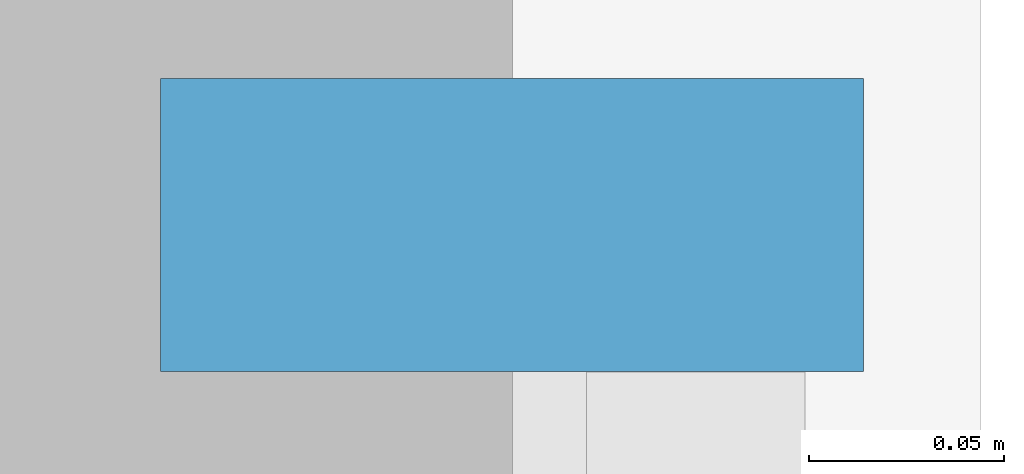
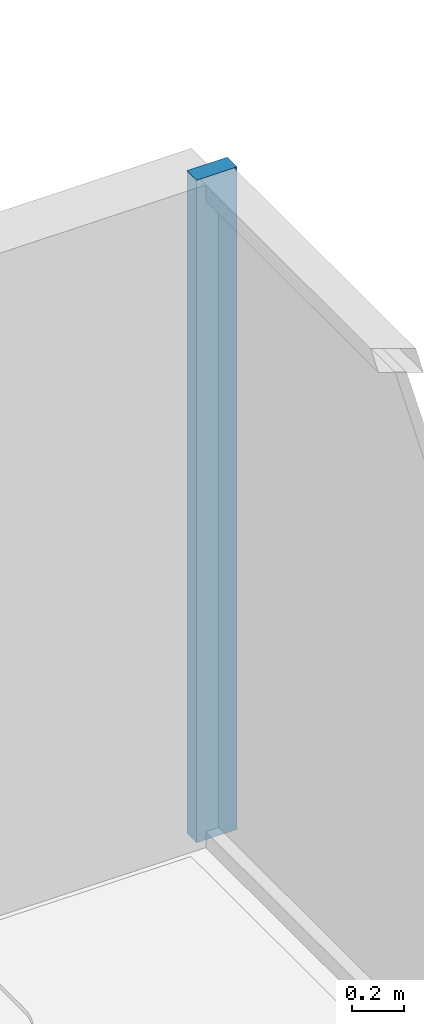
# One storey, part 6 of 13: 1 member, 1 element without a shape of its own.
"""IFC4 building model written with IfcOpenShell, lengths in metres."""

from ifc_helpers import new_model, si_unit, direction, frame, origin, origin_2d, place, context, subcontext, project, spatial, rectangle, extrude, source, transform, mapped, material, layer, layer_set, material_profile, profile_set, type_object, element, aggregate, save


model = new_model("IFC4")

# Units and contexts
model_context = context("Model", 3, precision=1e-05, world=origin(), true_north=direction((0.0, 1.0)))
body_context = subcontext(model_context, "Body", "Model", "MODEL_VIEW")
ifc_project = project(units=[si_unit("LENGTHUNIT", "METRE"), si_unit("AREAUNIT", "SQUARE_METRE"), si_unit("VOLUMEUNIT", "CUBIC_METRE"), si_unit("PLANEANGLEUNIT", "RADIAN"), si_unit("MASSUNIT", "GRAM", prefix="KILO")], contexts=[model_context])

# Site, building, storey
site_placement = place(None, origin())
site = spatial("IfcSite", under=ifc_project, at=site_placement, CompositionType="ELEMENT")
building_placement = place(site_placement, origin())
building = spatial("IfcBuilding", under=site, at=building_placement, Name="Qianlan Lanfeng Residences", CompositionType="ELEMENT")
storey_placement = place(building_placement, frame((0.0, 0.0, 178.800048828125)))
storey = spatial("IfcBuildingStorey", under=building, at=storey_placement, Name="L49", CompositionType="ELEMENT", Elevation=178.800048828125)

# Curtain wall, member
ifc_material = material(Name="Anodised Bronze Aluminium 6063-T6", Category="aluminium")
ifc_layer = layer(ifc_material, 0.219970703125)
ifc_layer_set = layer_set([ifc_layer], Name="Anodised Bronze Aluminium 6063-T6")
curtain_wall_type = type_object("IfcCurtainWallType", Name="CW-04", PredefinedType="NOTDEFINED", material=ifc_layer_set)
curtain_wall_placement = place(storey_placement, origin())
curtain_wall = element("IfcCurtainWall", 1, at=curtain_wall_placement, inside=storey, type_object=curtain_wall_type, Name="L49 Unitised Curtain Wall CWR-L49-05 (CW-04)", PredefinedType="NOTDEFINED")
ifc_material_profile = material_profile(ifc_material, rectangle(XDim=0.074951171875, YDim=0.179931640625, at=origin_2d()), Name="ALU MULLION 75x180")
ifc_profile_set = profile_set([ifc_material_profile], Name="Anodised Bronze Aluminium 6063-T6")
member_type = type_object("IfcMemberType", Name="CWM-180", PredefinedType="MULLION", material=ifc_profile_set)
shared_shape = source(origin(), body_context, "Body", "SweptSolid", [
    extrude(rectangle(XDim=0.074951171875, YDim=0.179931640625, at=origin_2d()), origin(), (0.0, 0.0, 1.0), 3.099853515625),
])
member_placement = place(storey_placement, frame((48.679931640625, 35.892578125, 0.0), z_axis=(0.0, 0.0, 1.0), x_axis=(0.0, 1.0, 0.0)))
member = element("IfcMember", 2, at=member_placement, type_object=member_type, Name="CWR-L49-05 Mullion 3", PredefinedType="MULLION", context=body_context, shape_type="MappedRepresentation", body=[
    mapped(shared_shape, transform((0.0, 0.0, 0.0), scale=1.0)),
])
aggregate(curtain_wall, [member])

save(model, "model.ifc")
